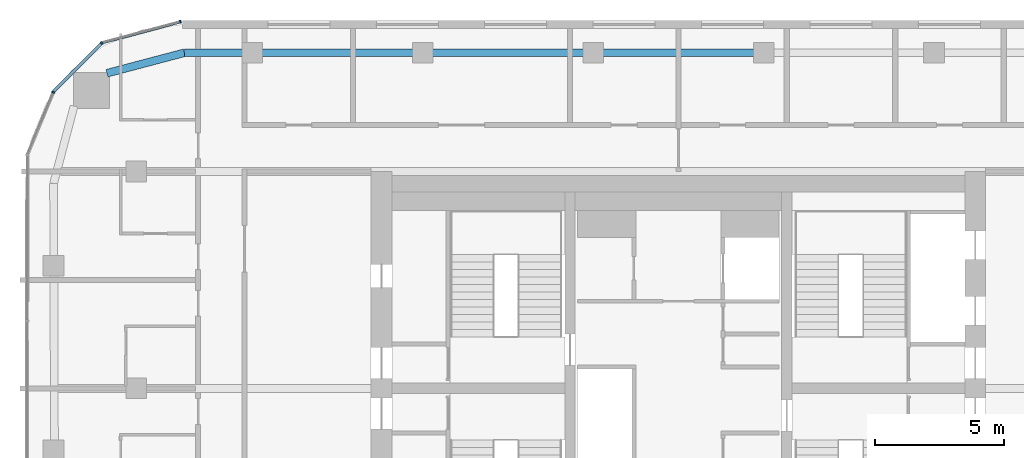
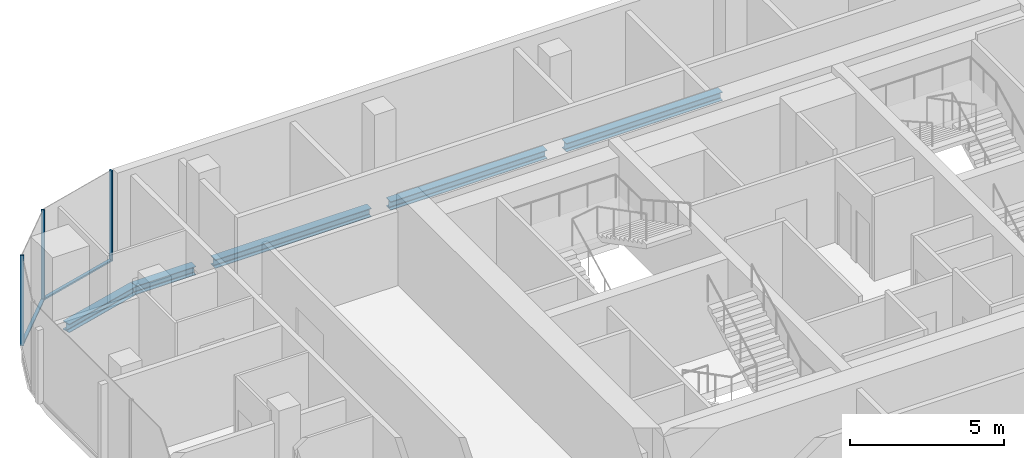
# One storey, part 10 of 22: 5 beams, 5 members, 3 elements without a shape of their own.
"""IFC4 building model written with IfcOpenShell, lengths in metres."""

from ifc_helpers import new_model, si_unit, direction, frame, origin, origin_2d, place, context, subcontext, project, spatial, rectangle, i_section, extrude, material, layer, layer_set, material_profile, profile_set, type_object, element, aggregate, save


model = new_model("IFC4")

# Units and contexts
model_context = context("Model", 3, precision=1e-05, world=origin(), true_north=direction((0.0, 1.0)))
body_context = subcontext(model_context, "Body", "Model", "MODEL_VIEW")
ifc_project = project(units=[si_unit("LENGTHUNIT", "METRE"), si_unit("AREAUNIT", "SQUARE_METRE"), si_unit("VOLUMEUNIT", "CUBIC_METRE"), si_unit("PLANEANGLEUNIT", "RADIAN"), si_unit("MASSUNIT", "GRAM", prefix="KILO")], contexts=[model_context])

# Site, building, storey
site_placement = place(None, origin())
site = spatial("IfcSite", under=ifc_project, at=site_placement, CompositionType="ELEMENT")
building_placement = place(site_placement, origin())
building = spatial("IfcBuilding", under=site, at=building_placement, Name="Marenta Gate Hotel Tower", CompositionType="ELEMENT")
storey_placement = place(building_placement, frame((0.0, 0.0, 238.10009765625)))
storey = spatial("IfcBuildingStorey", under=building, at=storey_placement, Name="L56", CompositionType="ELEMENT", Elevation=238.10009765625)

# Beams
ifc_material_1 = material(Name="Steel S355", Category="steel")
ifc_material_profile_1 = material_profile(ifc_material_1, i_section(OverallWidth=0.300048828125, OverallDepth=0.340087890625, WebThickness=0.011962890625, FlangeThickness=0.021484375, FilletRadius=0.027099609375, at=origin_2d()), Name="HEB 340")
ifc_profile_set_1 = profile_set([ifc_material_profile_1], Name="Steel S355")
beam_type = type_object("IfcBeamType", Name="Edge beam HEB 340", PredefinedType="SPANDREL", material=ifc_profile_set_1)
beam_1_placement = place(storey_placement, frame((-22.132080078125, 20.607177734375, -0.43017578125), z_axis=(0.9667647815, 0.25566747398, 0.0), x_axis=(-0.25566747398, 0.9667647815, 0.0)))
element("IfcBeam", 1, at=beam_1_placement, inside=storey, type_object=beam_type, Name="L56-EB-12", PredefinedType="SPANDREL", context=body_context, shape_type="SweptSolid", body=[
    extrude(i_section(OverallWidth=0.300048828125, OverallDepth=0.340087890625, WebThickness=0.011962890625, FlangeThickness=0.021484375, FilletRadius=0.027099609375, at=origin_2d()), origin(), (0.0, 0.0, 1.0), 3.1005859375),
])
beam_2_placement = place(storey_placement, frame((-19.134521484375, 21.39990234375, -0.43017578125), z_axis=(1.0, 0.0, 0.0), x_axis=(0.0, 1.0, 0.0)))
element("IfcBeam", 2, at=beam_2_placement, inside=storey, type_object=beam_type, Name="L56-EB-13", PredefinedType="SPANDREL", context=body_context, shape_type="SweptSolid", body=[
    extrude(i_section(OverallWidth=0.300048828125, OverallDepth=0.340087890625, WebThickness=0.011962890625, FlangeThickness=0.021484375, FilletRadius=0.027099609375, at=origin_2d()), origin(), (0.0, 0.0, 1.0), 2.267578125),
])
for number, where, z_axis, x_axis, name in (
    (3, (-16.14697265625, 21.39990234375, -0.43017578125), (1.0, 0.0, 0.0), (0.0, 1.0, 0.0), "L56-EB-14"),
    (4, (-9.544189453125, 21.39990234375, -0.43017578125), (1.0, 0.0, 0.0), (0.0, 1.0, 0.0), "L56-EB-15"),
    (5, (-2.94140625, 21.39990234375, -0.43017578125), (1.0, 0.0, 0.0), (0.0, 1.0, 0.0), "L56-EB-16"),
):
    element("IfcBeam", number, at=place(storey_placement, frame(where, z_axis=z_axis, x_axis=x_axis)), inside=storey, type_object=beam_type, Name=name, PredefinedType="SPANDREL", context=body_context, shape_type="SweptSolid", body=[
        extrude(i_section(OverallWidth=0.300048828125, OverallDepth=0.340087890625, WebThickness=0.011962890625, FlangeThickness=0.021484375, FilletRadius=0.027099609375, at=origin_2d()), origin(), (0.0, 0.0, 1.0), 5.8828125),
    ])

# Curtain wall, member
ifc_material_2 = material(Name="Tinted insulated glass in bronze anodised frame", Category="glass")
ifc_layer = layer(ifc_material_2, 0.1201171875)
ifc_layer_set = layer_set([ifc_layer], Name="Tinted insulated glass in bronze anodised frame")
curtain_wall_type = type_object("IfcCurtainWallType", Name="Tower unitised curtain wall CW1", PredefinedType="NOTDEFINED", material=ifc_layer_set)
curtain_wall_1_placement = place(storey_placement, origin())
curtain_wall_1 = element("IfcCurtainWall", 6, at=curtain_wall_1_placement, inside=storey, type_object=curtain_wall_type, Name="CW1 run G00", PredefinedType="NOTDEFINED")
ifc_material_3 = material(Name="Bronze anodised aluminium", Category="aluminium")
ifc_material_profile_2 = material_profile(ifc_material_3, rectangle(XDim=0.1201171875, YDim=0.06005859375, at=origin_2d()), Name="Mullion CW1 60x120 bronze anodised aluminium")
ifc_profile_set_2 = profile_set([ifc_material_profile_2], Name="Bronze anodised aluminium")
member_type_1 = type_object("IfcMemberType", Name="Mullion CW1 60x120 bronze anodised aluminium", PredefinedType="MULLION", material=ifc_profile_set_2)
member_1_placement = place(storey_placement, frame((-19.285400390625, 22.603271484375, 0.0), z_axis=(0.0, 0.0, 1.0), x_axis=(0.258801379183, -0.965930559685, 0.0)))
member_1 = element("IfcMember", 7, at=member_1_placement, type_object=member_type_1, Name="CW1 mullion 1", PredefinedType="MULLION", context=body_context, shape_type="SweptSolid", body=[
    extrude(rectangle(XDim=0.1201171875, YDim=0.06005859375, at=origin_2d()), origin(), (0.0, 0.0, 1.0), 3.599853515625),
])

curtain_wall_2_placement = place(storey_placement, origin())
curtain_wall_2 = element("IfcCurtainWall", 8, at=curtain_wall_2_placement, inside=storey, type_object=curtain_wall_type, Name="CW1 run G01", PredefinedType="NOTDEFINED")
member_2_placement = place(storey_placement, frame((-22.334228515625, 21.77099609375, 0.0), z_axis=(0.0, 0.0, 1.0), x_axis=(0.707106781187, -0.707106781187, 0.0)))
member_2 = element("IfcMember", 9, at=member_2_placement, type_object=member_type_1, Name="CW1 mullion 1", PredefinedType="MULLION", context=body_context, shape_type="SweptSolid", body=[
    extrude(rectangle(XDim=0.1201171875, YDim=0.06005859375, at=origin_2d()), origin(), (0.0, 0.0, 1.0), 3.599853515625),
])

curtain_wall_3_placement = place(storey_placement, origin())
curtain_wall_3 = element("IfcCurtainWall", 10, at=curtain_wall_3_placement, inside=storey, type_object=curtain_wall_type, Name="CW1 run G02", PredefinedType="NOTDEFINED")
member_3_placement = place(storey_placement, frame((-24.215087890625, 19.87353515625, 0.0), z_axis=(0.0, 0.0, 1.0), x_axis=(0.923886433266, -0.382666772044, 0.0)))
member_3 = element("IfcMember", 11, at=member_3_placement, type_object=member_type_1, Name="CW1 mullion 1", PredefinedType="MULLION", context=body_context, shape_type="SweptSolid", body=[
    extrude(rectangle(XDim=0.1201171875, YDim=0.06005859375, at=origin_2d()), origin(), (0.0, 0.0, 1.0), 3.599853515625),
])
aggregate(curtain_wall_3, [member_3])

# Member
ifc_material_4 = material(Name="Bronze anodised aluminium", Category="aluminium")
ifc_material_profile_3 = material_profile(ifc_material_4, rectangle(XDim=0.1201171875, YDim=0.06005859375, at=origin_2d()), Name="Transom CW1 60x120 bronze anodised aluminium")
ifc_profile_set_3 = profile_set([ifc_material_profile_3], Name="Bronze anodised aluminium")
member_type_2 = type_object("IfcMemberType", Name="Transom CW1 60x120 bronze anodised aluminium", PredefinedType="USERDEFINED", material=ifc_profile_set_3)
member_4_placement = place(storey_placement, frame((-19.314453125, 22.595458984375, 0.02978515625), z_axis=(-0.965924882171, -0.258822568574, 0.0), x_axis=(0.258822568574, -0.965924882171, 0.0)))
member_4 = element("IfcMember", 12, at=member_4_placement, type_object=member_type_2, Name="CW1 transom 1.1", ObjectType="TRANSOM", PredefinedType="USERDEFINED", context=body_context, shape_type="SweptSolid", body=[
    extrude(rectangle(XDim=0.1201171875, YDim=0.06005859375, at=origin_2d()), origin(), (0.0, 0.0, 1.0), 3.104248046875),
])

aggregate(curtain_wall_1, [member_1, member_4])

member_5_placement = place(storey_placement, frame((-22.355224609375, 21.749755859375, 0.02978515625), z_axis=(-0.707106781187, -0.707106781187, 0.0), x_axis=(0.707106781187, -0.707106781187, 0.0)))
member_5 = element("IfcMember", 13, at=member_5_placement, type_object=member_type_2, Name="CW1 transom 1.1", ObjectType="TRANSOM", PredefinedType="USERDEFINED", context=body_context, shape_type="SweptSolid", body=[
    extrude(rectangle(XDim=0.1201171875, YDim=0.06005859375, at=origin_2d()), origin(), (0.0, 0.0, 1.0), 2.614013671875),
])

aggregate(curtain_wall_2, [member_2, member_5])

save(model, "model.ifc")
